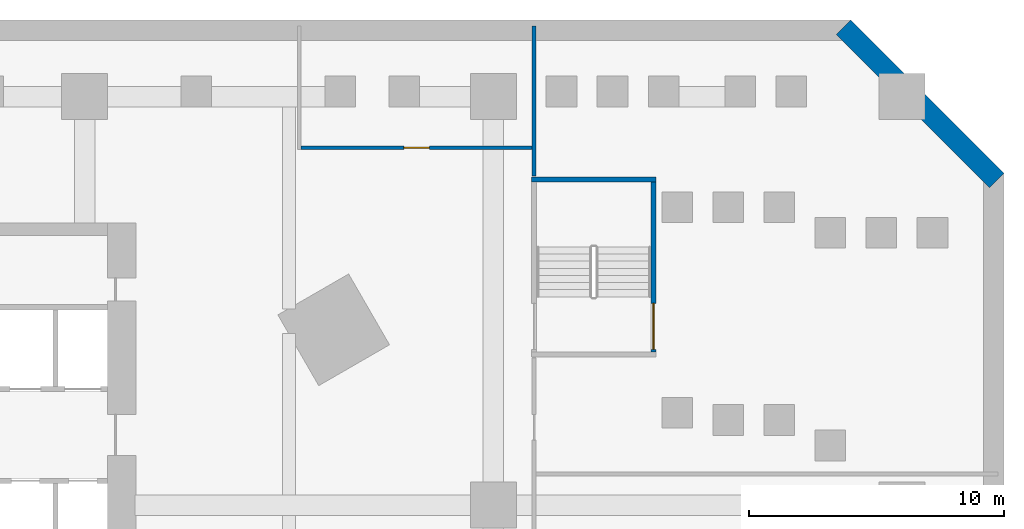
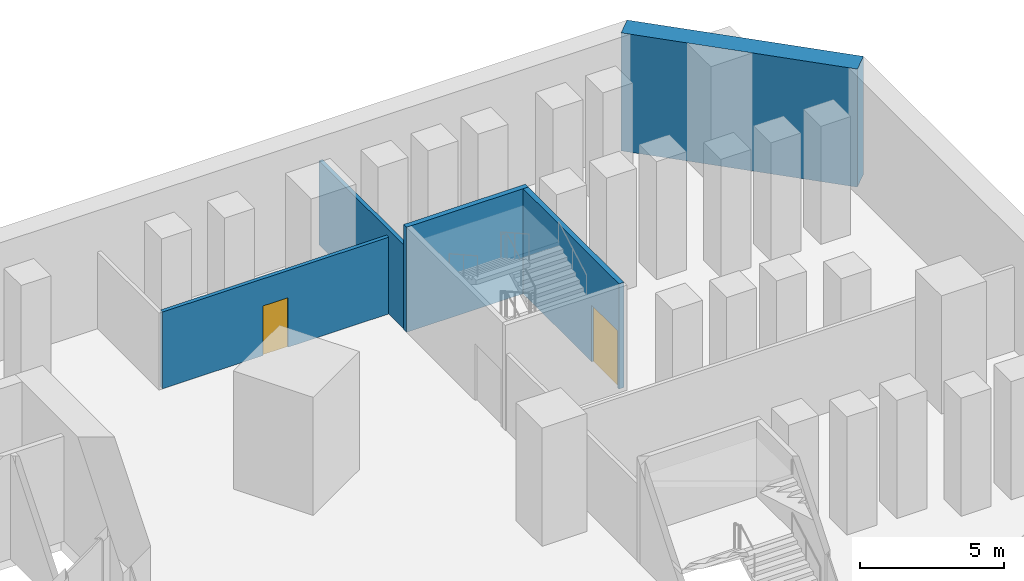
# One storey, part 12 of 24: 5 walls, 2 doors, 2 openings.
"""IFC4 building model written with IfcOpenShell, lengths in metres."""

from ifc_helpers import new_model, si_unit, direction, frame, frame_2d, origin, place, context, subcontext, project, spatial, rectangle, extrude, material, layer, layer_set, type_object, element, fill, save


model = new_model("IFC4")

# Units and contexts
model_context = context("Model", 3, precision=1e-05, world=origin(), true_north=direction((0.0, 1.0)))
body_context = subcontext(model_context, "Body", "Model", "MODEL_VIEW")
ifc_project = project(units=[si_unit("LENGTHUNIT", "METRE"), si_unit("AREAUNIT", "SQUARE_METRE"), si_unit("VOLUMEUNIT", "CUBIC_METRE"), si_unit("PLANEANGLEUNIT", "RADIAN"), si_unit("MASSUNIT", "GRAM", prefix="KILO")], contexts=[model_context])

# Site, building, storey
site_placement = place(None, origin())
site = spatial("IfcSite", under=ifc_project, at=site_placement, CompositionType="ELEMENT")
building_placement = place(site_placement, origin())
building = spatial("IfcBuilding", under=site, at=building_placement, Name="Calabash Gate Tower", CompositionType="ELEMENT")
storey_placement = place(building_placement, frame((0.0, 0.0, -5.0)))
storey = spatial("IfcBuildingStorey", under=building, at=storey_placement, Name="B1", CompositionType="ELEMENT", Elevation=-5.0)

# Walls
ifc_material_1 = material(Name="Concrete C60/75", Category="concrete")
ifc_layer_1 = layer(ifc_material_1, 0.800048828125)
ifc_layer_set_1 = layer_set([ifc_layer_1], Name="Diaphragm wall 800 Concrete C60/75")
wall_type_1 = type_object("IfcWallType", Name="Diaphragm wall 800 Concrete C60/75", PredefinedType="SHEAR", material=ifc_layer_set_1)
wall_1_placement = place(storey_placement, frame((51.717041015625, 20.717041015625, 0.0), z_axis=(0.0, 0.0, 1.0), x_axis=(-0.707106781187, 0.707106781187, 0.0)))
element("IfcWall", 1, at=wall_1_placement, inside=storey, type_object=wall_type_1, Name="Diaphragm wall B1", PredefinedType="SHEAR", context=body_context, shape_type="SweptSolid", body=[
    extrude(rectangle(XDim=8.4853515625, YDim=0.800048828125, at=frame_2d((4.24267578125, 0.0))), origin(), (0.0, 0.0, 1.0), 5.0),
])
ifc_material_2 = material(Name="Gypsum board on steel studs, mineral wool", Category="steel")
ifc_layer_2 = layer(ifc_material_2, 0.14990234375)
ifc_layer_set_2 = layer_set([ifc_layer_2], Name="Partition 150 gypsum board")
wall_type_2 = type_object("IfcWallType", Name="Partition 150 gypsum board", PredefinedType="PARTITIONING", material=ifc_layer_set_2)
wall_2_placement = place(storey_placement, frame((33.60009765625, 20.889892578125, 0.0), z_axis=(0.0, 0.0, 1.0), x_axis=(0.0, 1.0, 0.0)))
element("IfcWall", 2, at=wall_2_placement, inside=storey, type_object=wall_type_2, Name="Partition", PredefinedType="PARTITIONING", context=body_context, shape_type="SweptSolid", body=[
    extrude(rectangle(XDim=5.885009765625, YDim=0.14990234375, at=frame_2d((2.9423828125, 0.0))), origin(), (0.0, 0.0, 1.0), 3.550048828125),
])

# Wall, opening, door
wall_3_placement = place(storey_placement, frame((24.47509765625, 22.0, 0.0), z_axis=(0.0, 0.0, 1.0), x_axis=(1.0, 0.0, 0.0)))
wall_3 = element("IfcWall", 3, at=wall_3_placement, inside=storey, type_object=wall_type_2, Name="Partition", PredefinedType="PARTITIONING", context=body_context, shape_type="SweptSolid", body=[
    extrude(rectangle(XDim=9.0498046875, YDim=0.14990234375, at=frame_2d((4.52490234375, 0.0))), origin(), (0.0, 0.0, 1.0), 3.25),
])
opening_1_placement = place(wall_3_placement, frame((4.02490234375, 0.0, 0.0)))
opening_1 = element("IfcOpeningElement", 4, at=opening_1_placement, cuts=wall_3, Name="Opening B1-045", PredefinedType="OPENING", context=body_context, shape_type="SweptSolid", body=[
    extrude(rectangle(XDim=1.0, YDim=2.10009765625, at=frame_2d((0.5, 1.050048828125))), frame((0.0, 0.0849609375, 0.0), z_axis=(0.0, -1.0, 0.0), x_axis=(1.0, 0.0, 0.0)), (0.0, 0.0, 1.0), 0.169921875),
])
ifc_material_3 = material(Name="Steel fire door set with fire-resisting glazing", Category="steel")
door_type_1 = type_object("IfcDoorType", Name="Fire door D11 1000x2100 FD60", OperationType="NOTDEFINED", PredefinedType="DOOR", material=ifc_material_3)
door_1_placement = place(opening_1_placement, origin())
door_1 = element("IfcDoor", 5, at=door_1_placement, inside=storey, type_object=door_type_1, Name="Station Customer Service Office door", OperationType="SINGLE_SWING_RIGHT", OverallHeight=2.10009765625, OverallWidth=1.0, PredefinedType="DOOR", context=body_context, shape_type="SweptSolid", body=[
    extrude(rectangle(XDim=1.0, YDim=2.10009765625, at=frame_2d((0.5, 1.050048828125))), frame((0.0, 0.02490234375, 0.0), z_axis=(0.0, -1.0, 0.0), x_axis=(1.0, 0.0, 0.0)), (0.0, 0.0, 1.0), 0.050048828125),
])
fill(opening_1, door_1)

# Wall
ifc_material_4 = material(Name="Concrete C40/50", Category="concrete")
ifc_layer_3 = layer(ifc_material_4, 0.199951171875)
ifc_layer_set_3 = layer_set([ifc_layer_3], Name="Stair wall 200 Concrete C40/50")
wall_type_3 = type_object("IfcWallType", Name="Stair wall 200 Concrete C40/50", PredefinedType="SOLIDWALL", material=ifc_layer_set_3)
wall_4_placement = place(storey_placement, frame((33.5, 20.75, 0.0), z_axis=(0.0, 0.0, 1.0), x_axis=(1.0, 0.0, 0.0)))
element("IfcWall", 6, at=wall_4_placement, inside=storey, type_object=wall_type_3, Name="Stair wall", PredefinedType="SOLIDWALL", context=body_context, shape_type="SweptSolid", body=[
    extrude(rectangle(XDim=4.8701171875, YDim=0.199951171875, at=frame_2d((2.43505859375, 0.0))), origin(), (0.0, 0.0, 1.0), 4.449951171875),
])

# Wall, opening, door
wall_5_placement = place(storey_placement, frame((38.27001953125, 14.0, 0.0), z_axis=(0.0, 0.0, 1.0), x_axis=(0.0, 1.0, 0.0)))
wall_5 = element("IfcWall", 7, at=wall_5_placement, inside=storey, type_object=wall_type_3, Name="Stair wall", PredefinedType="SOLIDWALL", context=body_context, shape_type="SweptSolid", body=[
    extrude(rectangle(XDim=6.64990234375, YDim=0.199951171875, at=frame_2d((3.324951171875, 0.0))), origin(), (0.0, 0.0, 1.0), 4.449951171875),
])
opening_2_placement = place(wall_5_placement, frame((0.10009765625, 0.0, 0.0)))
opening_2 = element("IfcOpeningElement", 8, at=opening_2_placement, cuts=wall_5, Name="Opening B1-041", PredefinedType="OPENING", context=body_context, shape_type="SweptSolid", body=[
    extrude(rectangle(XDim=1.800048828125, YDim=2.39990234375, at=frame_2d((0.89990234375, 1.199951171875))), frame((0.0, 0.10986328125, 0.0), z_axis=(0.0, -1.0, 0.0), x_axis=(1.0, 0.0, 0.0)), (0.0, 0.0, 1.0), 0.219970703125),
])
ifc_material_5 = material(Name="Steel fire door set with fire-resisting glazing", Category="steel")
door_type_2 = type_object("IfcDoorType", Name="Double fire door D16 1800x2400 FD90", OperationType="DOUBLE_DOOR_SINGLE_SWING", PredefinedType="DOOR", material=ifc_material_5)
door_2_placement = place(opening_2_placement, origin())
door_2 = element("IfcDoor", 9, at=door_2_placement, inside=storey, type_object=door_type_2, Name="Exit stair door PS10", OperationType="DOUBLE_DOOR_SINGLE_SWING", OverallHeight=2.39990234375, OverallWidth=1.800048828125, PredefinedType="DOOR", context=body_context, shape_type="SweptSolid", body=[
    extrude(rectangle(XDim=1.800048828125, YDim=2.39990234375, at=frame_2d((0.89990234375, 1.199951171875))), frame((0.0, 0.02490234375, 0.0), z_axis=(0.0, -1.0, 0.0), x_axis=(1.0, 0.0, 0.0)), (0.0, 0.0, 1.0), 0.050048828125),
])
fill(opening_2, door_2)

save(model, "model.ifc")
